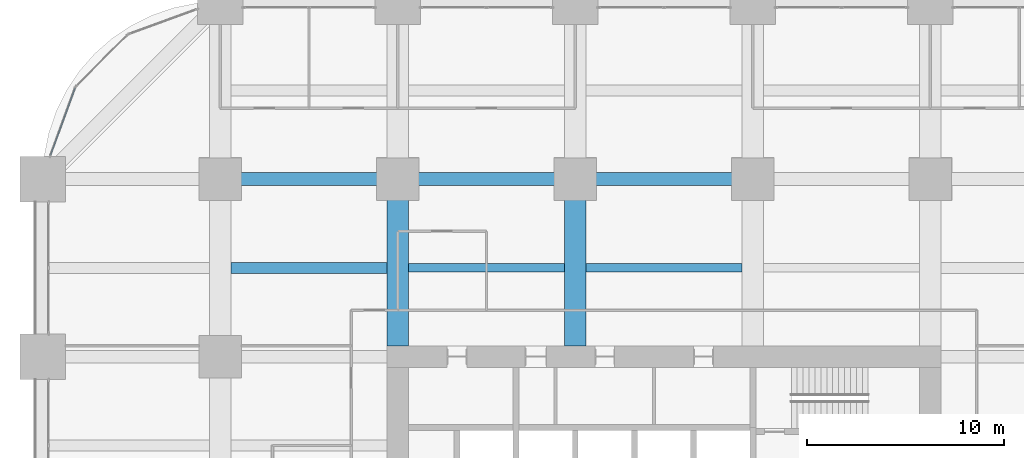
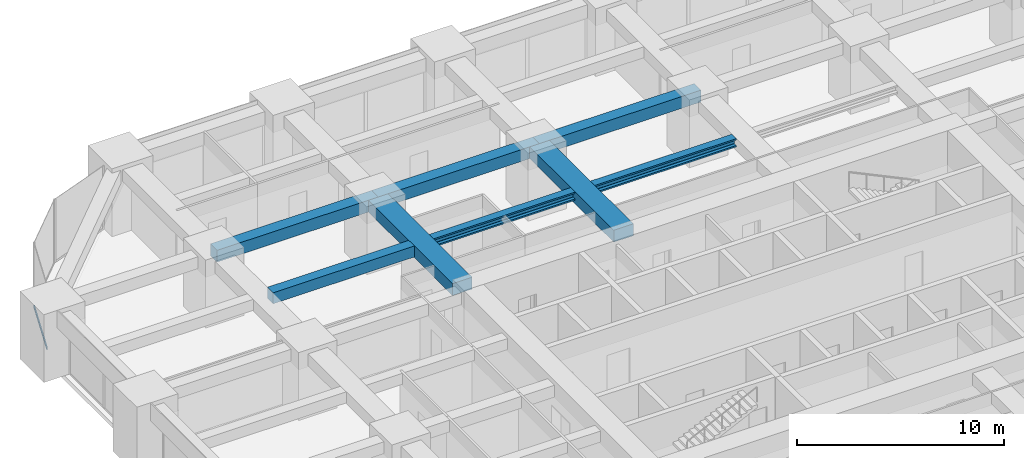
# One storey, part 26 of 44: 8 beams, 1 member, 1 element without a shape of its own.
"""IFC4 building model written with IfcOpenShell, lengths in metres."""

from ifc_helpers import new_model, si_unit, direction, frame, origin, origin_2d, place, context, subcontext, project, spatial, rectangle, hollow_rectangle, i_section, extrude, material, material_profile, profile_set, type_object, element, aggregate, save


model = new_model("IFC4")

# Units and contexts
model_context = context("Model", 3, precision=1e-05, world=origin(), true_north=direction((0.0, 1.0)))
body_context = subcontext(model_context, "Body", "Model", "MODEL_VIEW")
ifc_project = project(units=[si_unit("LENGTHUNIT", "METRE"), si_unit("AREAUNIT", "SQUARE_METRE"), si_unit("VOLUMEUNIT", "CUBIC_METRE"), si_unit("PLANEANGLEUNIT", "RADIAN"), si_unit("MASSUNIT", "GRAM", prefix="KILO")], contexts=[model_context])

# Site, building, storey
site_placement = place(None, origin())
site = spatial("IfcSite", under=ifc_project, at=site_placement, CompositionType="ELEMENT")
building_placement = place(site_placement, origin())
building = spatial("IfcBuilding", under=site, at=building_placement, Name="Zorevar Civic Tower", CompositionType="ELEMENT")
storey_placement = place(building_placement, frame((0.0, 0.0, 55.800048828125)))
storey = spatial("IfcBuildingStorey", under=building, at=storey_placement, Name="L13", CompositionType="ELEMENT", Elevation=55.800048828125)

# Beams
ifc_material_1 = material(Name="Concrete C50/60", Category="concrete")
ifc_material_profile_1 = material_profile(ifc_material_1, rectangle(XDim=1.10009765625, YDim=0.699951171875, at=origin_2d()), Name="RC 1100x700")
ifc_profile_set_1 = profile_set([ifc_material_profile_1], Name="Concrete C50/60")
beam_type_1 = type_object("IfcBeamType", Name="Beam RC 1100x700", PredefinedType="BEAM", material=ifc_profile_set_1)
for number, where, z_axis, x_axis, name in (
    (1, (18.0, 36.550048828125, 3.39990234375), (0.0, 1.0, 0.0), (-1.0, 0.0, 0.0), "Girder L14"),
    (2, (27.0, 36.550048828125, 3.39990234375), (0.0, 1.0, 0.0), (-1.0, 0.0, 0.0), "Girder L14"),
):
    element("IfcBeam", number, at=place(storey_placement, frame(where, z_axis=z_axis, x_axis=x_axis)), inside=storey, type_object=beam_type_1, Name=name, PredefinedType="BEAM", context=body_context, shape_type="SweptSolid", body=[
        extrude(rectangle(XDim=1.10009765625, YDim=0.699951171875, at=origin_2d()), origin(), (0.0, 0.0, 1.0), 8.449951171875),
    ])
ifc_material_2 = material(Name="Concrete C50/60", Category="concrete")
ifc_material_profile_2 = material_profile(ifc_material_2, rectangle(XDim=0.550048828125, YDim=0.64990234375, at=origin_2d()), Name="RC 550x650")
ifc_profile_set_2 = profile_set([ifc_material_profile_2], Name="Concrete C50/60")
beam_type_2 = type_object("IfcBeamType", Name="Beam RC 550x650", PredefinedType="BEAM", material=ifc_profile_set_2)
beam_placement = place(storey_placement, frame((9.550048828125, 40.5, 3.425048828125), z_axis=(1.0, 0.0, 0.0), x_axis=(0.0, 1.0, 0.0)))
element("IfcBeam", 3, at=beam_placement, inside=storey, type_object=beam_type_2, Name="Secondary beam L14", PredefinedType="BEAM", context=body_context, shape_type="SweptSolid", body=[
    extrude(rectangle(XDim=0.550048828125, YDim=0.64990234375, at=origin_2d()), origin(), (0.0, 0.0, 1.0), 7.89990234375),
])
ifc_material_3 = material(Name="Concrete C50/60", Category="concrete")
ifc_material_profile_3 = material_profile(ifc_material_3, rectangle(XDim=0.64990234375, YDim=0.699951171875, at=origin_2d()), Name="RC 650x700")
ifc_profile_set_3 = profile_set([ifc_material_profile_3], Name="Concrete C50/60")
beam_type_3 = type_object("IfcBeamType", Name="Beam RC 650x700", PredefinedType="BEAM", material=ifc_profile_set_3)
for number, where, z_axis, x_axis, name in (
    (4, (9.0, 45.0, 3.39990234375), (1.0, 0.0, 0.0), (0.0, 1.0, 0.0), "Girder L14"),
    (5, (18.0, 45.0, 3.39990234375), (1.0, 0.0, 0.0), (0.0, 1.0, 0.0), "Girder L14"),
    (6, (27.0, 45.0, 3.39990234375), (1.0, 0.0, 0.0), (0.0, 1.0, 0.0), "Girder L14"),
):
    element("IfcBeam", number, at=place(storey_placement, frame(where, z_axis=z_axis, x_axis=x_axis)), inside=storey, type_object=beam_type_3, Name=name, PredefinedType="BEAM", context=body_context, shape_type="SweptSolid", body=[
        extrude(rectangle(XDim=0.64990234375, YDim=0.699951171875, at=origin_2d()), origin(), (0.0, 0.0, 1.0), 9.0),
    ])

# Curtain wall, member
ifc_material_4 = material(Name="Dark grey solar-control glass in black aluminium frame", Category="aluminium")
curtain_wall_type = type_object("IfcCurtainWallType", Name="Curtain wall CW2 low zone", PredefinedType="NOTDEFINED", material=ifc_material_4)
curtain_wall_placement = place(storey_placement, origin())
curtain_wall = element("IfcCurtainWall", 7, at=curtain_wall_placement, inside=storey, type_object=curtain_wall_type, Name="CW2 L13", PredefinedType="NOTDEFINED")
ifc_material_5 = material(Name="Aluminium, black anodised", Category="aluminium")
ifc_material_profile_4 = material_profile(ifc_material_5, hollow_rectangle(XDim=0.06005859375, YDim=0.14990234375, WallThickness=0.00390625, at=origin_2d()), Name="AL 150x60x4")
ifc_profile_set_4 = profile_set([ifc_material_profile_4], Name="Aluminium, black anodised")
member_type = type_object("IfcMemberType", Name="CW2 transom AL 150x60x4", PredefinedType="USERDEFINED", material=ifc_profile_set_4)
member_placement = place(storey_placement, frame((1.64453125, 49.622314453125, 0.030029296875), z_axis=(-0.343047162808, -0.939318180432, 0.0), x_axis=(0.939318180432, -0.343047162808, 0.0)))
member = element("IfcMember", 8, at=member_placement, type_object=member_type, Name="CW2 sill transom", ObjectType="TRANSOM", PredefinedType="USERDEFINED", context=body_context, shape_type="SweptSolid", body=[
    extrude(hollow_rectangle(XDim=0.06005859375, YDim=0.14990234375, WallThickness=0.00390625, at=origin_2d()), origin(), (0.0, 0.0, 1.0), 3.63671875),
])
aggregate(curtain_wall, [member])

# Beams
ifc_material_6 = material(Name="Steel S460M (HISTAR 460)", Category="steel")
ifc_material_profile_5 = material_profile(ifc_material_6, i_section(OverallWidth=0.431884765625, OverallDepth=0.498046875, WebThickness=0.0556640625, FlangeThickness=0.0888671875, FilletRadius=0.014892578125, at=origin_2d()), Name="HD 400x744")
ifc_profile_set_5 = profile_set([ifc_material_profile_5], Name="Steel S460M (HISTAR 460)")
beam_type_4 = type_object("IfcBeamType", Name="Core bay beam HD 400x744", PredefinedType="BEAM", material=ifc_profile_set_5)
for number, where, z_axis, x_axis, name in (
    (9, (18.550048828125, 40.5, 3.5009765625), (1.0, 0.0, 0.0), (0.0, 1.0, 0.0), "Secondary beam L14"),
    (10, (27.550048828125, 40.5, 3.5009765625), (1.0, 0.0, 0.0), (0.0, 1.0, 0.0), "Secondary beam L14"),
):
    element("IfcBeam", number, at=place(storey_placement, frame(where, z_axis=z_axis, x_axis=x_axis)), inside=storey, type_object=beam_type_4, Name=name, PredefinedType="BEAM", context=body_context, shape_type="SweptSolid", body=[
        extrude(i_section(OverallWidth=0.431884765625, OverallDepth=0.498046875, WebThickness=0.0556640625, FlangeThickness=0.0888671875, FilletRadius=0.014892578125, at=origin_2d()), origin(), (0.0, 0.0, 1.0), 7.89990234375),
    ])

save(model, "model.ifc")
